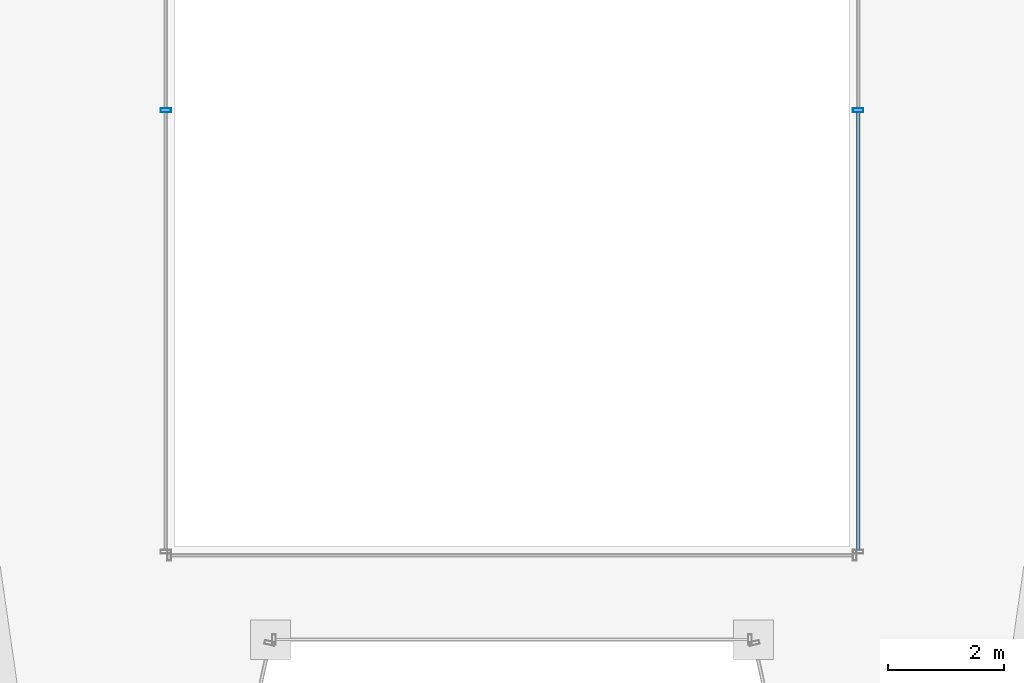
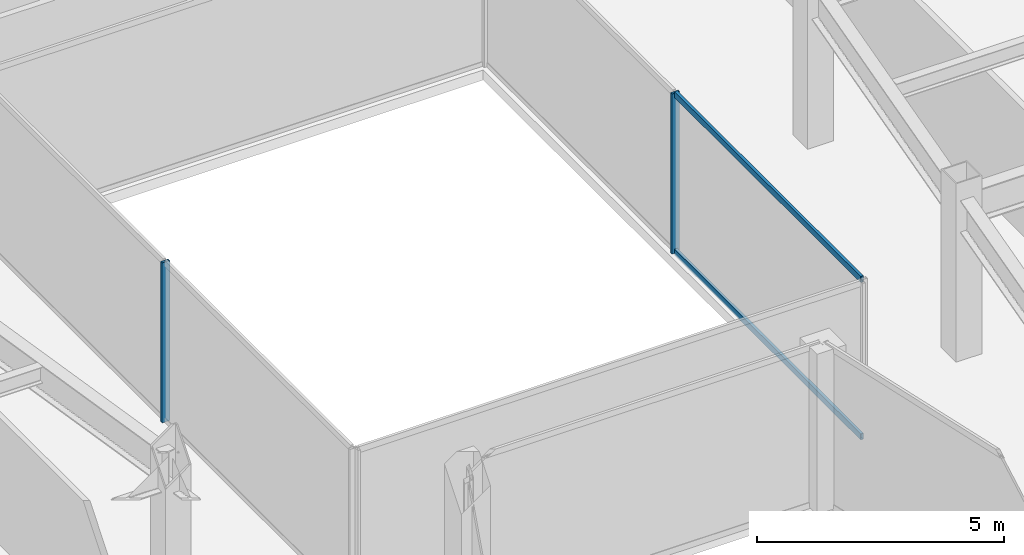
# One storey, part 11 of 36: 4 members, 2 elements without a shape of their own.
"""IFC4 building model written with IfcOpenShell, lengths in metres."""

from ifc_helpers import new_model, si_unit, direction, frame, origin, origin_2d, place, context, subcontext, project, spatial, hollow_rectangle, extrude, material, material_profile, profile_set, type_object, element, aggregate, save


model = new_model("IFC4")

# Units and contexts
model_context = context("Model", 3, precision=1e-05, world=origin(), true_north=direction((0.0, 1.0)))
body_context = subcontext(model_context, "Body", "Model", "MODEL_VIEW")
ifc_project = project(units=[si_unit("LENGTHUNIT", "METRE"), si_unit("AREAUNIT", "SQUARE_METRE"), si_unit("VOLUMEUNIT", "CUBIC_METRE"), si_unit("PLANEANGLEUNIT", "RADIAN"), si_unit("MASSUNIT", "GRAM", prefix="KILO")], contexts=[model_context])

# Site, building, storey
site_placement = place(None, origin())
site = spatial("IfcSite", under=ifc_project, at=site_placement, CompositionType="ELEMENT")
building_placement = place(site_placement, origin())
building = spatial("IfcBuilding", under=site, at=building_placement, Name="Saevonmaru Cultural Tower", CompositionType="ELEMENT")
storey_placement = place(building_placement, frame((0.0, 0.0, 119.199951171875)))
storey = spatial("IfcBuildingStorey", under=building, at=storey_placement, Name="L25", CompositionType="ELEMENT", Elevation=119.199951171875)

# Curtain wall, member
ifc_material = material(Name="Satin Bronze Anodised Aluminium", Category="aluminium")
curtain_wall_type = type_object("IfcCurtainWallType", Name="CW-ATR-GLZ", PredefinedType="NOTDEFINED", material=ifc_material)
curtain_wall_1_placement = place(storey_placement, origin())
curtain_wall_1 = element("IfcCurtainWall", 1, at=curtain_wall_1_placement, inside=storey, type_object=curtain_wall_type, Name="L25 Vertical Atrium Glazed Smoke Screen 2", PredefinedType="NOTDEFINED")
ifc_material_profile_1 = material_profile(ifc_material, hollow_rectangle(XDim=0.06494140625, YDim=0.179931640625, WallThickness=0.00390625, at=origin_2d()), Name="ALU-MULL-180x65x4")
ifc_profile_set_1 = profile_set([ifc_material_profile_1], Name="Satin Bronze Anodised Aluminium")
member_type_1 = type_object("IfcMemberType", Name="ML-CW-INT-180x65", PredefinedType="MULLION", material=ifc_profile_set_1)
member_1_placement = place(storey_placement, frame((35.949951171875, 29.89990234375, 0.0), z_axis=(0.0, 0.0, 1.0), x_axis=(0.0, 1.0, 0.0)))
member_1 = element("IfcMember", 2, at=member_1_placement, type_object=member_type_1, Name="CW-ATR-L25-2 mullion 2", PredefinedType="MULLION", context=body_context, shape_type="SweptSolid", body=[
    extrude(hollow_rectangle(XDim=0.06494140625, YDim=0.179931640625, WallThickness=0.00390625, at=origin_2d()), origin(), (0.0, 0.0, 1.0), 3.949951171875),
])

curtain_wall_2_placement = place(storey_placement, origin())
curtain_wall_2 = element("IfcCurtainWall", 3, at=curtain_wall_2_placement, inside=storey, type_object=curtain_wall_type, Name="L25 Vertical Atrium Glazed Smoke Screen 4", PredefinedType="NOTDEFINED")
member_2_placement = place(storey_placement, frame((24.050048828125, 29.89990234375, 0.0), z_axis=(0.0, 0.0, 1.0), x_axis=(0.0, -1.0, 0.0)))
member_2 = element("IfcMember", 4, at=member_2_placement, type_object=member_type_1, Name="CW-ATR-L25-4 mullion 2", PredefinedType="MULLION", context=body_context, shape_type="SweptSolid", body=[
    extrude(hollow_rectangle(XDim=0.06494140625, YDim=0.179931640625, WallThickness=0.00390625, at=origin_2d()), origin(), (0.0, 0.0, 1.0), 3.949951171875),
])
aggregate(curtain_wall_2, [member_2])

# Member
ifc_material_profile_2 = material_profile(ifc_material, hollow_rectangle(XDim=0.06494140625, YDim=0.14990234375, WallThickness=0.00390625, at=origin_2d()), Name="ALU-TRAN-150x65x4")
ifc_profile_set_2 = profile_set([ifc_material_profile_2], Name="Satin Bronze Anodised Aluminium")
member_type_2 = type_object("IfcMemberType", Name="TR-CW-INT-150x65", PredefinedType="USERDEFINED", material=ifc_profile_set_2)
member_3_placement = place(storey_placement, frame((35.949951171875, 22.342529296875, 0.032470703125), z_axis=(0.0, 1.0, 0.0), x_axis=(-1.0, 0.0, 0.0)))
member_3 = element("IfcMember", 5, at=member_3_placement, type_object=member_type_2, Name="CW-ATR-L25-2 transom 1.1", ObjectType="TRANSOM", PredefinedType="USERDEFINED", context=body_context, shape_type="SweptSolid", body=[
    extrude(hollow_rectangle(XDim=0.06494140625, YDim=0.14990234375, WallThickness=0.00390625, at=origin_2d()), origin(), (0.0, 0.0, 1.0), 7.52490234375),
])

member_4_placement = place(storey_placement, frame((35.949951171875, 22.342529296875, 3.91748046875), z_axis=(0.0, 1.0, 0.0), x_axis=(-1.0, 0.0, 0.0)))
member_4 = element("IfcMember", 6, at=member_4_placement, type_object=member_type_2, Name="CW-ATR-L25-2 transom 1.2", ObjectType="TRANSOM", PredefinedType="USERDEFINED", context=body_context, shape_type="SweptSolid", body=[
    extrude(hollow_rectangle(XDim=0.06494140625, YDim=0.14990234375, WallThickness=0.00390625, at=origin_2d()), origin(), (0.0, 0.0, 1.0), 7.52490234375),
])

aggregate(curtain_wall_1, [member_1, member_3, member_4])

save(model, "model.ifc")
